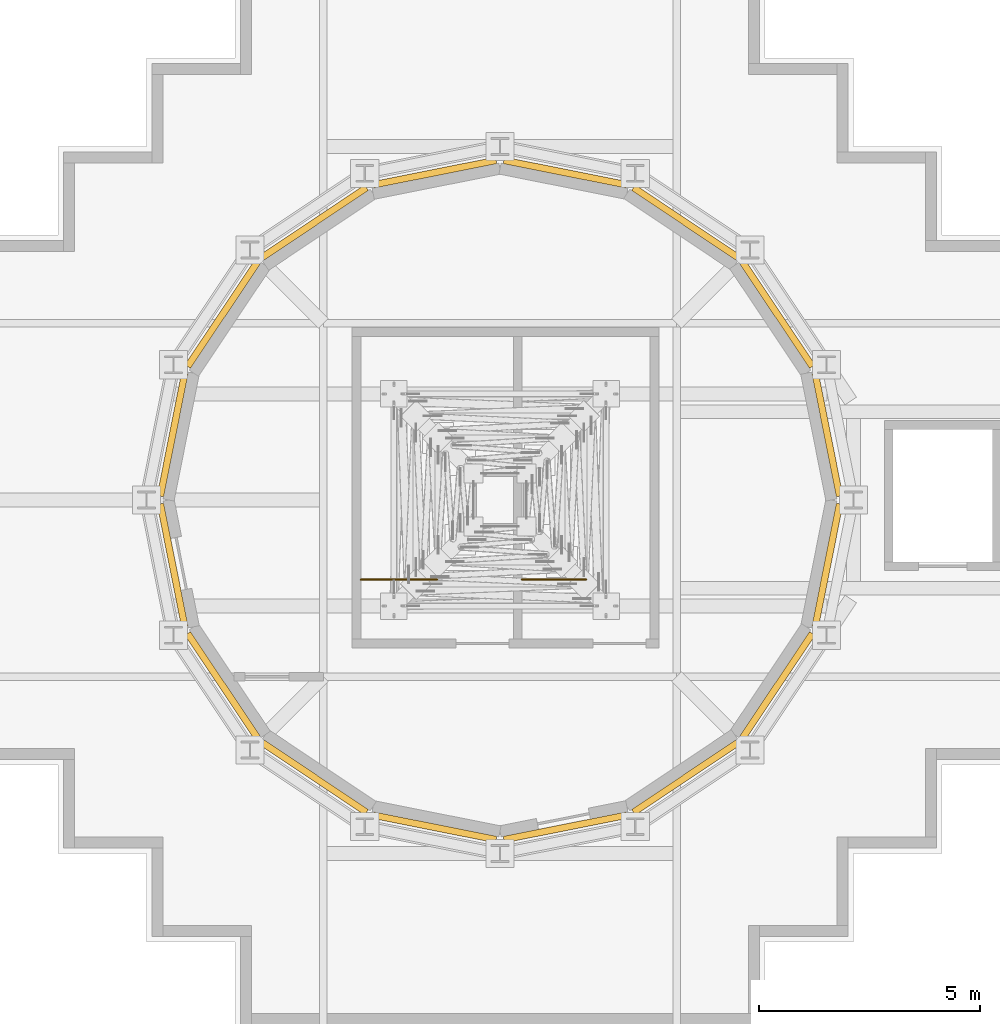
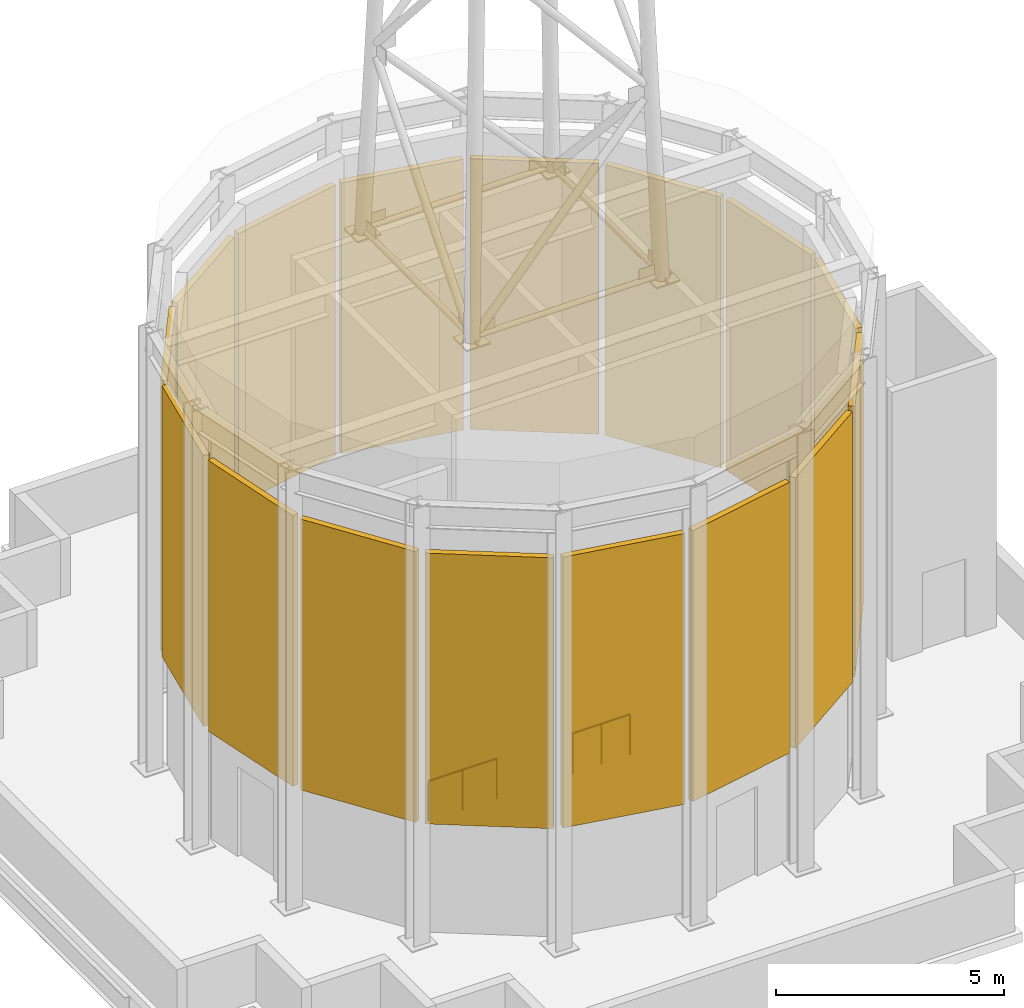
# One storey, part 15 of 15: 16 shading devices, 2 railings.
"""IFC4 building model written with IfcOpenShell, lengths in metres."""

from ifc_helpers import new_model, si_unit, direction, frame, origin, origin_2d, place, context, subcontext, project, spatial, rectangle, circle, extrude, material, layer, layer_set, type_object, element, save


model = new_model("IFC4")

# Units and contexts
model_context = context("Model", 3, precision=1e-05, world=origin(), true_north=direction((0.0, 1.0)))
body_context = subcontext(model_context, "Body", "Model", "MODEL_VIEW")
ifc_project = project(units=[si_unit("LENGTHUNIT", "METRE"), si_unit("AREAUNIT", "SQUARE_METRE"), si_unit("VOLUMEUNIT", "CUBIC_METRE"), si_unit("PLANEANGLEUNIT", "RADIAN"), si_unit("MASSUNIT", "GRAM", prefix="KILO")], contexts=[model_context])

# Site, building, storey
site_placement = place(None, origin())
site = spatial("IfcSite", under=ifc_project, at=site_placement, CompositionType="ELEMENT")
building_placement = place(site_placement, origin())
building = spatial("IfcBuilding", under=site, at=building_placement, Name="Immortelle Media Tower", CompositionType="ELEMENT")
storey_placement = place(building_placement, frame((0.0, 0.0, 308.0)))
storey = spatial("IfcBuildingStorey", under=building, at=storey_placement, Name="Roof", CompositionType="ELEMENT", Elevation=308.0)

# Shading devices
ifc_material_1 = material(Name="Pale aluminium louvre blades", Category="aluminium")
ifc_layer = layer(ifc_material_1, 0.14990234375)
ifc_layer_set = layer_set([ifc_layer], Name="Pale aluminium louvre blades")
shading_device_type = type_object("IfcShadingDeviceType", Name="Drum louvre bank", PredefinedType="JALOUSIE", material=ifc_layer_set)
for number, where, z_axis, x_axis, name in (
    (1, (19.41064453125, 13.47412109375, 3.0), (0.0, 0.0, 1.0), (-0.195090322016, 0.980785280403, 0.0), "Drum louvre bank 1"),
    (2, (18.282470703125, 16.19775390625, 3.0), (0.0, 0.0, 1.0), (-0.55557023302, 0.831469612303, 0.0), "Drum louvre bank 2"),
    (3, (16.19775390625, 18.282470703125, 3.0), (0.0, 0.0, 1.0), (-0.831469612303, 0.55557023302, 0.0), "Drum louvre bank 3"),
    (4, (13.47412109375, 19.41064453125, 3.0), (0.0, 0.0, 1.0), (-0.980785280403, 0.195090322016, 0.0), "Drum louvre bank 4"),
    (5, (10.52587890625, 19.41064453125, 3.0), (0.0, 0.0, 1.0), (-0.980785280403, -0.195090322016, 0.0), "Drum louvre bank 5"),
    (6, (7.80224609375, 18.282470703125, 3.0), (0.0, 0.0, 1.0), (-0.831469612303, -0.55557023302, 0.0), "Drum louvre bank 6"),
    (7, (5.717529296875, 16.19775390625, 3.0), (0.0, 0.0, 1.0), (-0.55557023302, -0.831469612303, 0.0), "Drum louvre bank 7"),
    (8, (4.58935546875, 13.47412109375, 3.0), (0.0, 0.0, 1.0), (-0.195090322016, -0.980785280403, 0.0), "Drum louvre bank 8"),
    (9, (4.58935546875, 10.52587890625, 3.0), (0.0, 0.0, 1.0), (0.195090322016, -0.980785280403, 0.0), "Drum louvre bank 9"),
    (10, (5.717529296875, 7.80224609375, 3.0), (0.0, 0.0, 1.0), (0.55557023302, -0.831469612303, 0.0), "Drum louvre bank 10"),
    (11, (7.80224609375, 5.717529296875, 3.0), (0.0, 0.0, 1.0), (0.831469612303, -0.55557023302, 0.0), "Drum louvre bank 11"),
    (12, (10.52587890625, 4.58935546875, 3.0), (0.0, 0.0, 1.0), (0.980785280403, -0.195090322016, 0.0), "Drum louvre bank 12"),
    (13, (13.47412109375, 4.58935546875, 3.0), (0.0, 0.0, 1.0), (0.980785280403, 0.195090322016, 0.0), "Drum louvre bank 13"),
    (14, (16.19775390625, 5.717529296875, 3.0), (0.0, 0.0, 1.0), (0.831469612303, 0.55557023302, 0.0), "Drum louvre bank 14"),
    (15, (18.282470703125, 7.80224609375, 3.0), (0.0, 0.0, 1.0), (0.55557023302, 0.831469612303, 0.0), "Drum louvre bank 15"),
    (16, (19.41064453125, 10.52587890625, 3.0), (0.0, 0.0, 1.0), (0.195090322016, 0.980785280403, 0.0), "Drum louvre bank 16"),
):
    element("IfcShadingDevice", number, at=place(storey_placement, frame(where, z_axis=z_axis, x_axis=x_axis)), inside=storey, type_object=shading_device_type, Name=name, PredefinedType="JALOUSIE", context=body_context, shape_type="SweptSolid", body=[
        extrude(rectangle(XDim=2.826416015625, YDim=0.14990234375, at=origin_2d()), origin(), (0.0, 0.0, 1.0), 7.25),
    ])

# Railings
ifc_material_2 = material(Name="Stainless steel AISI 316", Category="steel")
railing_type = type_object("IfcRailingType", Name="Head house landing guard 1100", PredefinedType="GUARDRAIL", material=ifc_material_2)
railing_1_placement = place(storey_placement, frame((8.85009765625, 10.199951171875, 0.0)))
element("IfcRailing", 17, at=railing_1_placement, inside=storey, type_object=railing_type, Name="Stair head house landing guard SW1", PredefinedType="GUARDRAIL", context=body_context, shape_type="SweptSolid", body=[
    extrude(circle(Radius=0.02392578125, at=origin_2d()), frame((0.0, 0.0, 1.076171875), z_axis=(1.0, 0.0, 0.0), x_axis=(0.0, 1.0, 0.0)), (0.0, 0.0, 1.0), 1.724853515625),
    extrude(circle(Radius=0.02099609375, at=origin_2d()), origin(), (0.0, 0.0, 1.0), 1.052001953125),
    extrude(circle(Radius=0.02099609375, at=origin_2d()), frame((0.8623046875, 0.0, 0.0)), (0.0, 0.0, 1.0), 1.052001953125),
    extrude(circle(Radius=0.02099609375, at=origin_2d()), frame((1.724853515625, 0.0, 0.0)), (0.0, 0.0, 1.0), 1.052001953125),
])
railing_2_placement = place(storey_placement, frame((12.5, 10.199951171875, 0.0)))
element("IfcRailing", 18, at=railing_2_placement, inside=storey, type_object=railing_type, Name="Stair head house landing guard SW2", PredefinedType="GUARDRAIL", context=body_context, shape_type="SweptSolid", body=[
    extrude(circle(Radius=0.02392578125, at=origin_2d()), frame((0.0, 0.0, 1.076171875), z_axis=(1.0, 0.0, 0.0), x_axis=(0.0, 1.0, 0.0)), (0.0, 0.0, 1.0), 1.449951171875),
    extrude(circle(Radius=0.02099609375, at=origin_2d()), origin(), (0.0, 0.0, 1.0), 1.052001953125),
    extrude(circle(Radius=0.02099609375, at=origin_2d()), frame((0.72509765625, 0.0, 0.0)), (0.0, 0.0, 1.0), 1.052001953125),
    extrude(circle(Radius=0.02099609375, at=origin_2d()), frame((1.449951171875, 0.0, 0.0)), (0.0, 0.0, 1.0), 1.052001953125),
])

save(model, "model.ifc")
